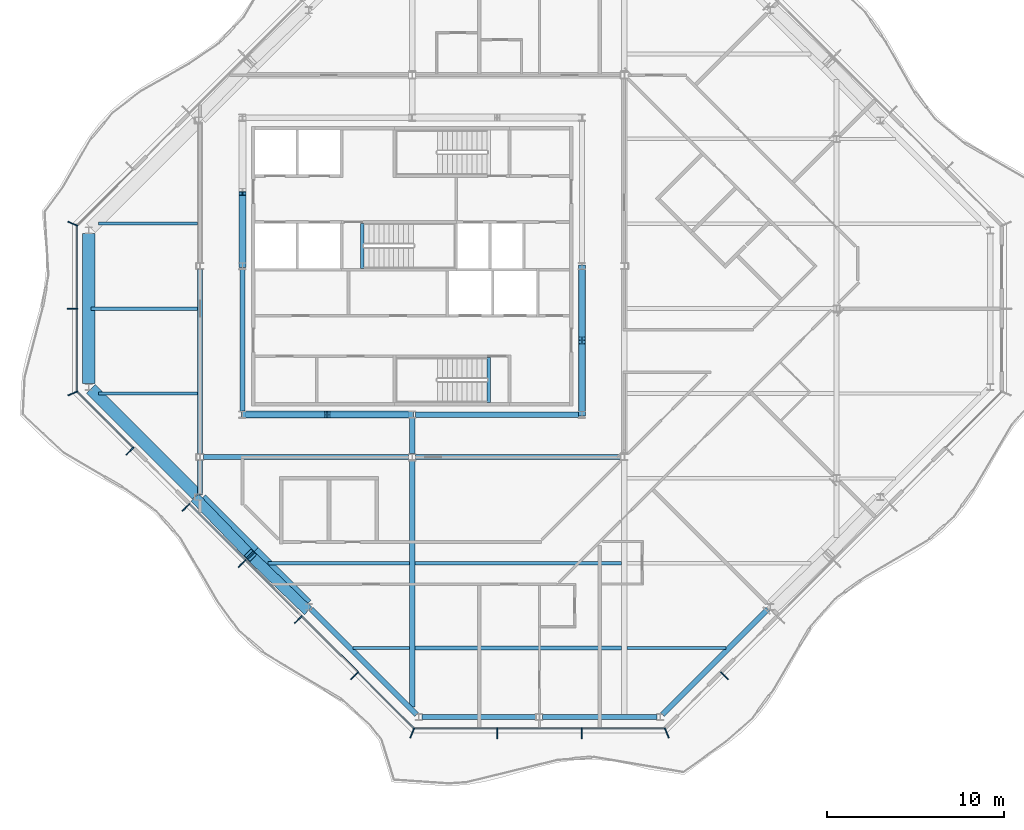
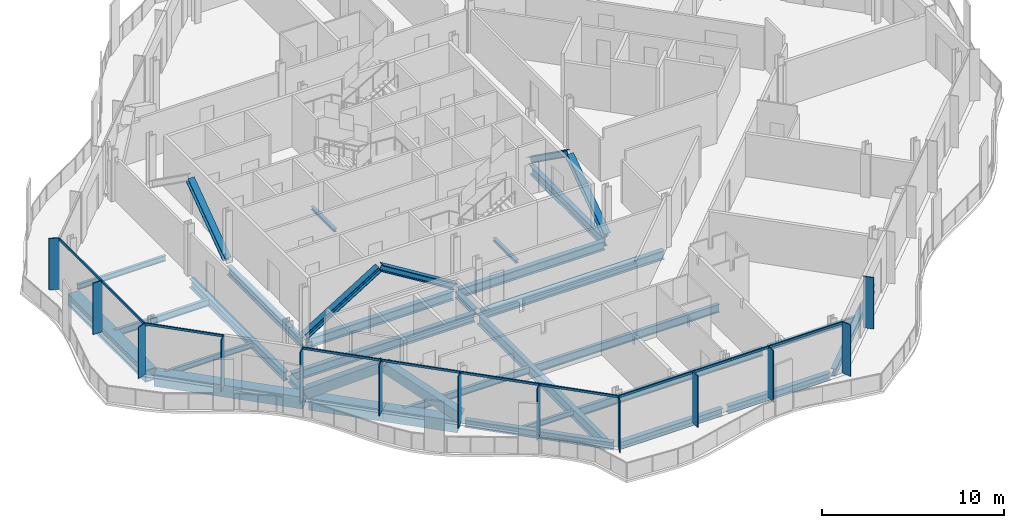
# One storey, part 3 of 16: 30 members, 28 beams, 4 elements without a shape of their own.
"""IFC4 building model written with IfcOpenShell, lengths in metres."""

import ifcopenshell
import ifcopenshell.guid

model = None  # the IFC model being written
_history = None  # IfcOwnerHistory: only IFC2X3 demands one
_inside = {}  # id of a spatial element -> (the spatial element, [elements in it])
_under = {}  # id of a project, library or spatial element -> (it, [spatial elements below it])
_declared = {}  # id of a project -> (the project, [libraries it declares])
_typed = {}  # id of a type object -> (the type object, [elements of that type])
_made_of = {}  # id of a material, layer set ... -> (it, [elements and type objects made of it])


def new_model(schema):
    """Start an empty IFC model of exactly this schema.

    Asked for "IFC4X3", IfcOpenShell would pick the latest addendum, in which some entities
    have other attributes; the version numbers below select the first issue.
    IFC2X3 requires an IfcOwnerHistory on every rooted entity: one is made here for all.
    """
    global model, _history
    if schema == "IFC4X3":
        model = ifcopenshell.file(schema_version=(4, 3, 0, 0))
    else:
        model = ifcopenshell.file(schema=schema)
    _inside.clear()
    _under.clear()
    _declared.clear()
    _typed.clear()
    _made_of.clear()
    _history = None
    if model.schema == "IFC2X3":
        org = make("IfcOrganization", Name="unknown")
        user = make(
            "IfcPersonAndOrganization",
            ThePerson=make("IfcPerson", FamilyName="unknown"),
            TheOrganization=org,
        )
        app = make(
            "IfcApplication",
            ApplicationDeveloper=org,
            Version="unknown",
            ApplicationFullName="unknown",
            ApplicationIdentifier="unknown",
        )
        _history = make(
            "IfcOwnerHistory",
            OwningUser=user,
            OwningApplication=app,
            ChangeAction="ADDED",
            CreationDate=0,
        )
    return model


def make(cls, **values):
    """One entity of the class cls with the attributes given. An attribute that is None is left unset."""
    return model.create_entity(
        cls, **{name: value for name, value in values.items() if value is not None}
    )


def rooted(cls, **values):
    """An entity with a GlobalId (a new one), such as an element, a storey or a relation."""
    return make(cls, GlobalId=ifcopenshell.guid.new(), OwnerHistory=_history, **values)


def si_unit(unit_type, name, prefix=None):
    """IfcSIUnit, for example si_unit("LENGTHUNIT", "METRE", prefix="MILLI")."""
    return make("IfcSIUnit", UnitType=unit_type, Prefix=prefix, Name=name)


def assignment(units):
    """IfcUnitAssignment: the units of a project."""
    return None if units is None else make("IfcUnitAssignment", Units=units)


def point(xyz):
    """IfcCartesianPoint."""
    return None if xyz is None else make("IfcCartesianPoint", Coordinates=xyz)


def direction(xyz):
    """IfcDirection."""
    return None if xyz is None else make("IfcDirection", DirectionRatios=xyz)


def frame(location, z_axis=None, x_axis=None):
    """IfcAxis2Placement3D, a coordinate frame: its origin and axes. An axis left out is left unset."""
    return make(
        "IfcAxis2Placement3D",
        Location=point(location),
        Axis=direction(z_axis),
        RefDirection=direction(x_axis),
    )


def frame_2d(location, x_axis=None):
    """IfcAxis2Placement2D, a coordinate frame in the plane: its origin and x axis."""
    return make(
        "IfcAxis2Placement2D", Location=point(location), RefDirection=direction(x_axis)
    )


def origin():
    """The frame at (0, 0, 0) with its axes left unset."""
    return frame((0.0, 0.0, 0.0))


def origin_2d():
    """The frame at (0, 0) in the plane with its x axis left unset."""
    return frame_2d((0.0, 0.0))


def place(relative_to, where):
    """IfcLocalPlacement: puts the frame where relative to a parent placement (None: the world)."""
    return make(
        "IfcLocalPlacement", PlacementRelTo=relative_to, RelativePlacement=where
    )


def context(
    kind, dimensions, precision=None, world=None, true_north=None, identifier=None
):
    """IfcGeometricRepresentationContext, for example the 3D "Model" context."""
    return make(
        "IfcGeometricRepresentationContext",
        ContextIdentifier=identifier,
        ContextType=kind,
        CoordinateSpaceDimension=dimensions,
        Precision=precision,
        WorldCoordinateSystem=world,
        TrueNorth=true_north,
    )


def subcontext(parent, identifier, kind, view, scale=None):
    """IfcGeometricRepresentationSubContext, for example "Body" below "Model"."""
    return make(
        "IfcGeometricRepresentationSubContext",
        ContextIdentifier=identifier,
        ContextType=kind,
        ParentContext=parent,
        TargetScale=scale,
        TargetView=view,
    )


def project(units=None, contexts=None):
    """IfcProject with its units and contexts."""
    return rooted(
        "IfcProject",
        Name="project",
        RepresentationContexts=contexts,
        UnitsInContext=assignment(units),
    )


def spatial(cls, under=None, at=None, **own):
    """A site, building, storey or space (cls), placed at a placement, below another one or the project."""
    s = rooted(cls, ObjectPlacement=at, **own)
    if under is not None:
        _under.setdefault(under.id(), (under, []))[1].append(s)
    return s


def profile(cls, at=None, kind="AREA", **sizes):
    """A parametric profile (cls). Its sizes go by their IFC names, for example OverallWidth=200.0."""
    return make(cls, ProfileType=kind, Position=at, **sizes)


def rectangle(**sizes):
    """IfcRectangleProfileDef."""
    return profile("IfcRectangleProfileDef", **sizes)


def hollow_rectangle(**sizes):
    """IfcRectangleHollowProfileDef."""
    return profile("IfcRectangleHollowProfileDef", **sizes)


def i_section(**sizes):
    """IfcIShapeProfileDef."""
    return profile("IfcIShapeProfileDef", **sizes)


def extrude(swept, where, along, depth):
    """IfcExtrudedAreaSolid: the profile swept, set in the frame where, extruded along a direction by depth."""
    return make(
        "IfcExtrudedAreaSolid",
        SweptArea=swept,
        Position=where,
        ExtrudedDirection=direction(along),
        Depth=depth,
    )


def shape(context_of_items, identifier, shape_type, items):
    """IfcShapeRepresentation: the items that make up one representation, for example the "Body"."""
    return make(
        "IfcShapeRepresentation",
        ContextOfItems=context_of_items,
        RepresentationIdentifier=identifier,
        RepresentationType=shape_type,
        Items=items,
    )


def material(Name=None, Category=None):
    """IfcMaterial."""
    return make("IfcMaterial", Name=Name, Category=Category)


def material_profile(
    of_material, cross_section, Name=None, Category=None, Priority=None
):
    """IfcMaterialProfile: a cross section and its material."""
    return make(
        "IfcMaterialProfile",
        Name=Name,
        Material=of_material,
        Profile=cross_section,
        Priority=Priority,
        Category=Category,
    )


def profile_set(profiles, Name=None, composite=None):
    """IfcMaterialProfileSet."""
    return make(
        "IfcMaterialProfileSet",
        Name=Name,
        MaterialProfiles=profiles,
        CompositeProfile=composite,
    )


def made_of(thing, what):
    """Note that an element or type object is made of a material, layer set ...; save() writes the relation."""
    if what is not None:
        _made_of.setdefault(what.id(), (what, []))[1].append(thing)
    return thing


def type_object(cls, material=None, **own):
    """A type object (cls), such as IfcWallType, which elements share."""
    return made_of(rooted(cls, **own), material)


def element(
    cls,
    number,
    at=None,
    inside=None,
    cuts=None,
    type_object=None,
    material=None,
    context=None,
    identifier="Body",
    shape_type=None,
    held_by="IfcProductDefinitionShape",
    body=None,
    shapes=None,
    **own,
):
    """One element of the class cls, such as IfcWall. Its Tag is "e" and its number.

    at: its placement. inside: the storey or other place that contains it. cuts: it is an
    opening in that element (IfcRelVoidsElement). A single representation is given by context,
    identifier, shape_type and body (its items); several are given by shapes. held_by: the class
    of the entity that holds the representations. save() writes the other relations.
    """
    e = rooted(cls, Tag="e%d" % number, ObjectPlacement=at, **own)
    if body is not None:
        shapes = [shape(context, identifier, shape_type, body)]
    if shapes is not None:
        e.Representation = make(held_by, Representations=shapes)
    if inside is not None:
        _inside.setdefault(inside.id(), (inside, []))[1].append(e)
    if cuts is not None:
        rooted(
            "IfcRelVoidsElement", RelatingBuildingElement=cuts, RelatedOpeningElement=e
        )
    if type_object is not None:
        _typed.setdefault(type_object.id(), (type_object, []))[1].append(e)
    return made_of(e, material)


def aggregate(whole, parts):
    """IfcRelAggregates: a whole, such as a stair, and the parts it consists of."""
    return rooted("IfcRelAggregates", RelatingObject=whole, RelatedObjects=parts)


def save(model, path):
    """Write the relations noted so far, then the file.

    IfcRelAggregates (storeys below a building ...), IfcRelContainedInSpatialStructure (elements
    in a storey), IfcRelDefinesByType, IfcRelAssociatesMaterial and IfcRelDeclares: one each for
    every whole, place, type object, material and project.
    """
    for whole, parts in _under.values():
        aggregate(whole, parts)
    for where, things in _inside.values():
        rooted(
            "IfcRelContainedInSpatialStructure",
            RelatedElements=things,
            RelatingStructure=where,
        )
    for kind, things in _typed.values():
        rooted("IfcRelDefinesByType", RelatedObjects=things, RelatingType=kind)
    for what, things in _made_of.values():
        rooted("IfcRelAssociatesMaterial", RelatedObjects=things, RelatingMaterial=what)
    for by, libraries in _declared.values():
        rooted("IfcRelDeclares", RelatingContext=by, RelatedDefinitions=libraries)
    model.write(path)


model = new_model("IFC4")

# Units and contexts
model_context = context("Model", 3, precision=1e-05, world=origin(), true_north=direction((0.0, 1.0)))
body_context = subcontext(model_context, "Body", "Model", "MODEL_VIEW")
ifc_project = project(units=[si_unit("LENGTHUNIT", "METRE"), si_unit("AREAUNIT", "SQUARE_METRE"), si_unit("VOLUMEUNIT", "CUBIC_METRE"), si_unit("PLANEANGLEUNIT", "RADIAN"), si_unit("MASSUNIT", "GRAM", prefix="KILO")], contexts=[model_context])

# Site, building, storey
site_placement = place(None, origin())
site = spatial("IfcSite", under=ifc_project, at=site_placement, CompositionType="ELEMENT")
building_placement = place(site_placement, origin())
building = spatial("IfcBuilding", under=site, at=building_placement, Name="Cairn Pilgrim Tower", CompositionType="ELEMENT")
storey_placement = place(building_placement, frame((0.0, 0.0, 285.0)))
storey = spatial("IfcBuildingStorey", under=building, at=storey_placement, Name="L73", CompositionType="ELEMENT", Elevation=285.0)

# Members
ifc_material_1 = material(Name="Structural steel S460M", Category="steel")
ifc_material_profile_1 = material_profile(ifc_material_1, hollow_rectangle(XDim=0.60009765625, YDim=0.60009765625, WallThickness=0.034912109375, at=origin_2d()), Name="BOX 600x600x35")
ifc_profile_set_1 = profile_set([ifc_material_profile_1], Name="Structural steel S460M")
member_type_1 = type_object("IfcMemberType", Name="BOX 600x600x35 BRACE", PredefinedType="BRACE", material=ifc_profile_set_1)
for number, where, z_axis, x_axis, name in (
    (1, (-4.98779296875, -10.80224609375, 0.14990234375), (0.591469196702, -0.613660799233, 0.523053164447), (0.720005582767, 0.693968270733, 0.0), "XB-SW2-SW3-1"),
    (2, (1.19775390625, -16.98779296875, 0.14990234375), (-0.613660799233, 0.591469196702, 0.523053164447), (-0.693968270733, -0.720005582767, 0.0), "XB-SW2-SW3-2"),
):
    element("IfcMember", number, at=place(storey_placement, frame(where, z_axis=z_axis, x_axis=x_axis)), inside=storey, type_object=member_type_1, Name=name, PredefinedType="BRACE", context=body_context, shape_type="SweptSolid", body=[
        extrude(hollow_rectangle(XDim=0.60009765625, YDim=0.60009765625, WallThickness=0.034912109375, at=origin_2d()), origin(), (0.0, 0.0, 1.0), 5.03857421875),
    ])

# Beams
ifc_material_2 = material(Name="Structural steel S355J2", Category="steel")
ifc_material_profile_2 = material_profile(ifc_material_2, hollow_rectangle(XDim=0.699951171875, YDim=0.800048828125, WallThickness=0.0400390625, at=origin_2d()), Name="BOX 700x800x40")
ifc_profile_set_2 = profile_set([ifc_material_profile_2], Name="Structural steel S355J2")
beam_type_1 = type_object("IfcBeamType", Name="BOX 700x800x40 RING GIRDER", PredefinedType="SPANDREL", material=ifc_profile_set_2)
beam_1_placement = place(storey_placement, frame((-11.10009765625, 4.251220703125, -0.550048828125), z_axis=(0.0, -1.0, 0.0), x_axis=(1.0, 0.0, 0.0)))
element("IfcBeam", 3, at=beam_1_placement, inside=storey, type_object=beam_type_1, Name="RG4-W1-SW1", PredefinedType="SPANDREL", context=body_context, shape_type="SweptSolid", body=[
    extrude(hollow_rectangle(XDim=0.699951171875, YDim=0.800048828125, WallThickness=0.0400390625, at=origin_2d()), origin(), (0.0, 0.0, 1.0), 8.50244140625),
])
beam_2_placement = place(storey_placement, frame((-10.9755859375, -4.551513671875, -0.550048828125), z_axis=(0.707092335843, -0.707121226235, 0.0), x_axis=(0.707121226235, 0.707092335843, 0.0)))
element("IfcBeam", 4, at=beam_2_placement, inside=storey, type_object=beam_type_1, Name="RG4-SW1-SW2", PredefinedType="SPANDREL", context=body_context, shape_type="SweptSolid", body=[
    extrude(hollow_rectangle(XDim=0.699951171875, YDim=0.800048828125, WallThickness=0.0400390625, at=origin_2d()), origin(), (0.0, 0.0, 1.0), 8.45068359375),
])
for number, where, z_axis, x_axis, name in (
    (5, (-4.751220703125, -10.77587890625, -0.550048828125), (0.707077889614, -0.707135671578, 0.0), (0.707135671578, 0.707077889614, 0.0), "RG4-SW2-SW3-1"),
    (6, (-1.763671875, -13.763671875, -0.550048828125), (0.707135671578, -0.707077889614, 0.0), (0.707077889614, 0.707135671578, 0.0), "RG4-SW2-SW3-2"),
):
    element("IfcBeam", number, at=place(storey_placement, frame(where, z_axis=z_axis, x_axis=x_axis)), inside=storey, type_object=beam_type_1, Name=name, PredefinedType="SPANDREL", context=body_context, shape_type="SweptSolid", body=[
        extrude(hollow_rectangle(XDim=0.699951171875, YDim=0.800048828125, WallThickness=0.0400390625, at=origin_2d()), origin(), (0.0, 0.0, 1.0), 4.22509765625),
    ])

# Curtain wall, members
ifc_material_3 = material(Name="Aluminium alloy 6063-T6 bronze anodised with Bronze tinted laminated low-E glass 8+16+8.8", Category="aluminium")
curtain_wall_type = type_object("IfcCurtainWallType", Name="CROWN CURTAIN WALL", PredefinedType="NOTDEFINED", material=ifc_material_3)
curtain_wall_1_placement = place(storey_placement, origin())
curtain_wall_1 = element("IfcCurtainWall", 7, at=curtain_wall_1_placement, inside=storey, type_object=curtain_wall_type, Name="Crown Curtain Wall S", PredefinedType="NOTDEFINED")
ifc_material_4 = material(Name="Aluminium alloy 6063-T6 bronze anodised", Category="aluminium")
ifc_material_profile_3 = material_profile(ifc_material_4, rectangle(XDim=0.60009765625, YDim=0.06005859375, at=origin_2d()), Name="FIN MULLION 60x600 BRONZE")
ifc_profile_set_3 = profile_set([ifc_material_profile_3], Name="Aluminium alloy 6063-T6 bronze anodised")
member_type_2 = type_object("IfcMemberType", Name="FIN MULLION 60x600 BRONZE", PredefinedType="MULLION", material=ifc_profile_set_3)
member_1_placement = place(storey_placement, frame((7.2001953125, -23.99951171875, 0.0), z_axis=(0.0, 0.0, 1.0), x_axis=(-0.382683432365, -0.923879532511, 0.0)))
member_1 = element("IfcMember", 8, at=member_1_placement, type_object=member_type_2, Name="Fin mullion S1", PredefinedType="MULLION", context=body_context, shape_type="SweptSolid", body=[
    extrude(rectangle(XDim=0.60009765625, YDim=0.06005859375, at=origin_2d()), origin(), (0.0, 0.0, 1.0), 3.449951171875),
])
member_2_placement = place(storey_placement, frame((12.0, -24.02001953125, 0.0), z_axis=(0.0, 0.0, 1.0), x_axis=(0.0, -1.0, 0.0)))
member_2 = element("IfcMember", 9, at=member_2_placement, type_object=member_type_2, Name="Fin mullion S2", PredefinedType="MULLION", context=body_context, shape_type="SweptSolid", body=[
    extrude(rectangle(XDim=0.60009765625, YDim=0.06005859375, at=origin_2d()), origin(), (0.0, 0.0, 1.0), 3.449951171875),
])
member_3_placement = place(storey_placement, frame((16.800048828125, -24.02001953125, 0.0), z_axis=(0.0, 0.0, 1.0), x_axis=(0.0, -1.0, 0.0)))
member_3 = element("IfcMember", 10, at=member_3_placement, type_object=member_type_2, Name="Fin mullion S3", PredefinedType="MULLION", context=body_context, shape_type="SweptSolid", body=[
    extrude(rectangle(XDim=0.60009765625, YDim=0.06005859375, at=origin_2d()), origin(), (0.0, 0.0, 1.0), 3.449951171875),
])

curtain_wall_2_placement = place(storey_placement, origin())
curtain_wall_2 = element("IfcCurtainWall", 11, at=curtain_wall_2_placement, inside=storey, type_object=curtain_wall_type, Name="Crown Curtain Wall SE", PredefinedType="NOTDEFINED")
member_4_placement = place(storey_placement, frame((21.599853515625, -23.99951171875, 0.0), z_axis=(0.0, 0.0, 1.0), x_axis=(0.382683432365, -0.923879532511, 0.0)))
member_4 = element("IfcMember", 12, at=member_4_placement, type_object=member_type_2, Name="Fin mullion SE1", PredefinedType="MULLION", context=body_context, shape_type="SweptSolid", body=[
    extrude(rectangle(XDim=0.60009765625, YDim=0.06005859375, at=origin_2d()), origin(), (0.0, 0.0, 1.0), 3.449951171875),
])
member_5_placement = place(storey_placement, frame((24.863037109375, -20.765380859375, 0.0), z_axis=(0.0, 0.0, 1.0), x_axis=(0.707106781187, -0.707106781187, 0.0)))
member_5 = element("IfcMember", 13, at=member_5_placement, type_object=member_type_2, Name="Fin mullion SE2", PredefinedType="MULLION", context=body_context, shape_type="SweptSolid", body=[
    extrude(rectangle(XDim=0.60009765625, YDim=0.06005859375, at=origin_2d()), origin(), (0.0, 0.0, 1.0), 3.449951171875),
])
aggregate(curtain_wall_2, [member_4, member_5])

curtain_wall_3_placement = place(storey_placement, origin())
curtain_wall_3 = element("IfcCurtainWall", 14, at=curtain_wall_3_placement, inside=storey, type_object=curtain_wall_type, Name="Crown Curtain Wall W", PredefinedType="NOTDEFINED")
member_6_placement = place(storey_placement, frame((-11.99951171875, 4.7998046875, 0.0), z_axis=(0.0, 0.0, 1.0), x_axis=(-0.923879532511, 0.382683432365, 0.0)))
member_6 = element("IfcMember", 15, at=member_6_placement, type_object=member_type_2, Name="Fin mullion W1", PredefinedType="MULLION", context=body_context, shape_type="SweptSolid", body=[
    extrude(rectangle(XDim=0.60009765625, YDim=0.06005859375, at=origin_2d()), origin(), (0.0, 0.0, 1.0), 3.449951171875),
])
member_7_placement = place(storey_placement, frame((-12.02001953125, 0.0, 0.0), z_axis=(0.0, 0.0, 1.0), x_axis=(-1.0, 0.0, 0.0)))
member_7 = element("IfcMember", 16, at=member_7_placement, type_object=member_type_2, Name="Fin mullion W2", PredefinedType="MULLION", context=body_context, shape_type="SweptSolid", body=[
    extrude(rectangle(XDim=0.60009765625, YDim=0.06005859375, at=origin_2d()), origin(), (0.0, 0.0, 1.0), 3.449951171875),
])

curtain_wall_4_placement = place(storey_placement, origin())
curtain_wall_4 = element("IfcCurtainWall", 17, at=curtain_wall_4_placement, inside=storey, type_object=curtain_wall_type, Name="Crown Curtain Wall SW", PredefinedType="NOTDEFINED")
member_8_placement = place(storey_placement, frame((-11.99951171875, -4.7998046875, 0.0), z_axis=(0.0, 0.0, 1.0), x_axis=(-0.923879532511, -0.382683432365, 0.0)))
member_8 = element("IfcMember", 18, at=member_8_placement, type_object=member_type_2, Name="Fin mullion SW1", PredefinedType="MULLION", context=body_context, shape_type="SweptSolid", body=[
    extrude(rectangle(XDim=0.60009765625, YDim=0.06005859375, at=origin_2d()), origin(), (0.0, 0.0, 1.0), 3.449951171875),
])
member_9_placement = place(storey_placement, frame((-8.765380859375, -8.06298828125, 0.0), z_axis=(0.0, 0.0, 1.0), x_axis=(-0.707106781187, -0.707106781187, 0.0)))
member_9 = element("IfcMember", 19, at=member_9_placement, type_object=member_type_2, Name="Fin mullion SW2", PredefinedType="MULLION", context=body_context, shape_type="SweptSolid", body=[
    extrude(rectangle(XDim=0.60009765625, YDim=0.06005859375, at=origin_2d()), origin(), (0.0, 0.0, 1.0), 3.449951171875),
])
member_10_placement = place(storey_placement, frame((-5.58984375, -11.238525390625, 0.0), z_axis=(0.0, 0.0, 1.0), x_axis=(-0.707106781187, -0.707106781187, 0.0)))
member_10 = element("IfcMember", 20, at=member_10_placement, type_object=member_type_2, Name="Fin mullion SW3", PredefinedType="MULLION", context=body_context, shape_type="SweptSolid", body=[
    extrude(rectangle(XDim=0.60009765625, YDim=0.06005859375, at=origin_2d()), origin(), (0.0, 0.0, 1.0), 3.449951171875),
])
member_11_placement = place(storey_placement, frame((-2.4140625, -14.4140625, 0.0), z_axis=(0.0, 0.0, 1.0), x_axis=(-0.707106781187, -0.707106781187, 0.0)))
member_11 = element("IfcMember", 21, at=member_11_placement, type_object=member_type_2, Name="Fin mullion SW4", PredefinedType="MULLION", context=body_context, shape_type="SweptSolid", body=[
    extrude(rectangle(XDim=0.60009765625, YDim=0.06005859375, at=origin_2d()), origin(), (0.0, 0.0, 1.0), 3.449951171875),
])
member_12_placement = place(storey_placement, frame((0.761474609375, -17.58984375, 0.0), z_axis=(0.0, 0.0, 1.0), x_axis=(-0.707106781187, -0.707106781187, 0.0)))
member_12 = element("IfcMember", 22, at=member_12_placement, type_object=member_type_2, Name="Fin mullion SW5", PredefinedType="MULLION", context=body_context, shape_type="SweptSolid", body=[
    extrude(rectangle(XDim=0.60009765625, YDim=0.06005859375, at=origin_2d()), origin(), (0.0, 0.0, 1.0), 3.449951171875),
])
member_13_placement = place(storey_placement, frame((3.93701171875, -20.765380859375, 0.0), z_axis=(0.0, 0.0, 1.0), x_axis=(-0.707106781187, -0.707106781187, 0.0)))
member_13 = element("IfcMember", 23, at=member_13_placement, type_object=member_type_2, Name="Fin mullion SW6", PredefinedType="MULLION", context=body_context, shape_type="SweptSolid", body=[
    extrude(rectangle(XDim=0.60009765625, YDim=0.06005859375, at=origin_2d()), origin(), (0.0, 0.0, 1.0), 3.449951171875),
])

# Members
ifc_material_profile_4 = material_profile(ifc_material_2, i_section(OverallWidth=0.39794921875, OverallDepth=0.386962890625, WebThickness=0.02099609375, FlangeThickness=0.033203125, FilletRadius=0.014892578125, at=origin_2d()), Name="HD 400x262")
ifc_profile_set_4 = profile_set([ifc_material_profile_4], Name="Structural steel S355J2")
member_type_3 = type_object("IfcMemberType", Name="HD 400x262 BRACE", PredefinedType="BRACE", material=ifc_profile_set_4)
for number, where, z_axis, x_axis, name in (
    (24, (-2.360107421875, -6.0, 0.10009765625), (0.85121689147, 0.0, 0.524814065814), (0.0, 1.0, 0.0), "KB-1A"),
    (25, (7.16015625, -6.0, 0.10009765625), (-0.85121689147, 0.0, 0.524814065814), (0.0, -1.0, 0.0), "KB-1B"),
):
    element("IfcMember", number, at=place(storey_placement, frame(where, z_axis=z_axis, x_axis=x_axis)), inside=storey, type_object=member_type_3, Name=name, PredefinedType="BRACE", context=body_context, shape_type="SweptSolid", body=[
        extrude(i_section(OverallWidth=0.39794921875, OverallDepth=0.386962890625, WebThickness=0.02099609375, FlangeThickness=0.033203125, FilletRadius=0.014892578125, at=origin_2d()), origin(), (0.0, 0.0, 1.0), 5.52978515625),
    ])
for number, where, z_axis, x_axis, name in (
    (26, (16.800048828125, -5.960205078125, 0.10009765625), (0.0, 0.814462005215, 0.580216892258), (-1.0, 0.0, 0.0), "KB-2A"),
    (27, (16.800048828125, 2.360107421875, 0.10009765625), (0.0, -0.814462005215, 0.580216892258), (1.0, 0.0, 0.0), "KB-2B"),
    (28, (-2.39990234375, 2.439697265625, 0.10009765625), (0.0, 0.814462005215, 0.580216892258), (-1.0, 0.0, 0.0), "KB-4B"),
):
    element("IfcMember", number, at=place(storey_placement, frame(where, z_axis=z_axis, x_axis=x_axis)), inside=storey, type_object=member_type_3, Name=name, PredefinedType="BRACE", context=body_context, shape_type="SweptSolid", body=[
        extrude(i_section(OverallWidth=0.39794921875, OverallDepth=0.386962890625, WebThickness=0.02099609375, FlangeThickness=0.033203125, FilletRadius=0.014892578125, at=origin_2d()), origin(), (0.0, 0.0, 1.0), 4.999755859375),
    ])

# Beams
ifc_material_profile_5 = material_profile(ifc_material_2, i_section(OverallWidth=0.300048828125, OverallDepth=0.39990234375, WebThickness=0.013427734375, FlangeThickness=0.02392578125, FilletRadius=0.027099609375, at=origin_2d()), Name="HEB 400")
ifc_profile_set_5 = profile_set([ifc_material_profile_5], Name="Structural steel S355J2")
beam_type_2 = type_object("IfcBeamType", Name="HEB 400 GIRDER", PredefinedType="BEAM", material=ifc_profile_set_5)
beam_3_placement = place(storey_placement, frame((-4.800048828125, -10.545166015625, -0.35009765625), z_axis=(0.0, 1.0, 0.0), x_axis=(-1.0, 0.0, 0.0)))
element("IfcBeam", 29, at=beam_3_placement, inside=storey, type_object=beam_type_2, Name="PG2-E1", PredefinedType="BEAM", context=body_context, shape_type="SweptSolid", body=[
    extrude(i_section(OverallWidth=0.300048828125, OverallDepth=0.39990234375, WebThickness=0.013427734375, FlangeThickness=0.02392578125, FilletRadius=0.027099609375, at=origin_2d()), origin(), (0.0, 0.0, 1.0), 1.9482421875),
])
beam_4_placement = place(storey_placement, frame((7.199951171875, -8.202880859375, -0.35009765625), z_axis=(0.0, 1.0, 0.0), x_axis=(-1.0, 0.0, 0.0)))
element("IfcBeam", 30, at=beam_4_placement, inside=storey, type_object=beam_type_2, Name="PG3-E1", PredefinedType="BEAM", context=body_context, shape_type="SweptSolid", body=[
    extrude(i_section(OverallWidth=0.300048828125, OverallDepth=0.39990234375, WebThickness=0.013427734375, FlangeThickness=0.02392578125, FilletRadius=0.027099609375, at=origin_2d()), origin(), (0.0, 0.0, 1.0), 2.00390625),
])
ifc_material_profile_6 = material_profile(ifc_material_2, i_section(OverallWidth=0.300048828125, OverallDepth=0.5, WebThickness=0.014404296875, FlangeThickness=0.028076171875, FilletRadius=0.027099609375, at=origin_2d()), Name="HEB 500")
ifc_profile_set_6 = profile_set([ifc_material_profile_6], Name="Structural steel S355J2")
beam_type_3 = type_object("IfcBeamType", Name="HEB 500 RING GIRDER", PredefinedType="SPANDREL", material=ifc_profile_set_6)
for number, where, z_axis, x_axis, name in (
    (31, (7.748779296875, -23.10009765625, -0.39990234375), (1.0, 0.0, 0.0), (0.0, 1.0, 0.0), "RG4-S1-S2"),
    (32, (14.575927734375, -23.10009765625, -0.39990234375), (1.0, 0.0, 0.0), (0.0, 1.0, 0.0), "RG4-S2-SE1"),
):
    element("IfcBeam", number, at=place(storey_placement, frame(where, z_axis=z_axis, x_axis=x_axis)), inside=storey, type_object=beam_type_3, Name=name, PredefinedType="SPANDREL", context=body_context, shape_type="SweptSolid", body=[
        extrude(i_section(OverallWidth=0.300048828125, OverallDepth=0.5, WebThickness=0.014404296875, FlangeThickness=0.028076171875, FilletRadius=0.027099609375, at=origin_2d()), origin(), (0.0, 0.0, 1.0), 6.475341796875),
    ])
for number, where, z_axis, x_axis, name in (
    (33, (21.3515625, -22.9755859375, -0.39990234375), (0.707121226235, 0.707092335843, 0.0), (-0.707092335843, 0.707121226235, 0.0), "RG4-SE1-SE2"),
    (34, (1.472900390625, -17.000244140625, -0.39990234375), (0.707121226235, -0.707092335843, 0.0), (0.707092335843, 0.707121226235, 0.0), "RG4-SW3-S1"),
):
    element("IfcBeam", number, at=place(storey_placement, frame(where, z_axis=z_axis, x_axis=x_axis)), inside=storey, type_object=beam_type_3, Name=name, PredefinedType="SPANDREL", context=body_context, shape_type="SweptSolid", body=[
        extrude(i_section(OverallWidth=0.300048828125, OverallDepth=0.5, WebThickness=0.014404296875, FlangeThickness=0.028076171875, FilletRadius=0.027099609375, at=origin_2d()), origin(), (0.0, 0.0, 1.0), 8.45068359375),
    ])
ifc_material_profile_7 = material_profile(ifc_material_2, i_section(OverallWidth=0.300048828125, OverallDepth=0.60009765625, WebThickness=0.015380859375, FlangeThickness=0.030029296875, FilletRadius=0.027099609375, at=origin_2d()), Name="HEB 600")
ifc_profile_set_7 = profile_set([ifc_material_profile_7], Name="Structural steel S355J2")
beam_type_4 = type_object("IfcBeamType", Name="HEB 600 CORE BEAM", PredefinedType="BEAM", material=ifc_profile_set_7)
beam_5_placement = place(storey_placement, frame((-2.220947265625, -6.0, -0.449951171875), z_axis=(1.0, 0.0, 0.0), x_axis=(0.0, 1.0, 0.0)))
element("IfcBeam", 35, at=beam_5_placement, inside=storey, type_object=beam_type_4, Name="CB-1", PredefinedType="BEAM", context=body_context, shape_type="SweptSolid", body=[
    extrude(i_section(OverallWidth=0.300048828125, OverallDepth=0.60009765625, WebThickness=0.015380859375, FlangeThickness=0.030029296875, FilletRadius=0.027099609375, at=origin_2d()), origin(), (0.0, 0.0, 1.0), 9.241943359375),
])
beam_6_placement = place(storey_placement, frame((7.379150390625, -6.0, -0.449951171875), z_axis=(1.0, 0.0, 0.0), x_axis=(0.0, 1.0, 0.0)))
element("IfcBeam", 36, at=beam_6_placement, inside=storey, type_object=beam_type_4, Name="CB-2", PredefinedType="BEAM", context=body_context, shape_type="SweptSolid", body=[
    extrude(i_section(OverallWidth=0.300048828125, OverallDepth=0.60009765625, WebThickness=0.015380859375, FlangeThickness=0.030029296875, FilletRadius=0.027099609375, at=origin_2d()), origin(), (0.0, 0.0, 1.0), 9.24169921875),
])
for number, where, z_axis, x_axis, name in (
    (37, (16.800048828125, -5.82080078125, -0.449951171875), (0.0, 1.0, 0.0), (-1.0, 0.0, 0.0), "CB-3"),
    (38, (-2.39990234375, 2.220947265625, -0.449951171875), (0.0, -1.0, 0.0), (1.0, 0.0, 0.0), "CB-8"),
):
    element("IfcBeam", number, at=place(storey_placement, frame(where, z_axis=z_axis, x_axis=x_axis)), inside=storey, type_object=beam_type_4, Name=name, PredefinedType="BEAM", context=body_context, shape_type="SweptSolid", body=[
        extrude(i_section(OverallWidth=0.300048828125, OverallDepth=0.60009765625, WebThickness=0.015380859375, FlangeThickness=0.030029296875, FilletRadius=0.027099609375, at=origin_2d()), origin(), (0.0, 0.0, 1.0), 8.041748046875),
    ])
ifc_material_profile_8 = material_profile(ifc_material_2, i_section(OverallWidth=0.300048828125, OverallDepth=0.60009765625, WebThickness=0.015380859375, FlangeThickness=0.030029296875, FilletRadius=0.027099609375, at=origin_2d()), Name="HEB 600")
ifc_profile_set_8 = profile_set([ifc_material_profile_8], Name="Structural steel S355J2")
beam_type_5 = type_object("IfcBeamType", Name="HEB 600 GIRDER", PredefinedType="BEAM", material=ifc_profile_set_8)
beam_7_placement = place(storey_placement, frame((-4.800048828125, -8.202880859375, -0.449951171875), z_axis=(0.0, 1.0, 0.0), x_axis=(-1.0, 0.0, 0.0)))
element("IfcBeam", 39, at=beam_7_placement, inside=storey, type_object=beam_type_5, Name="PG2-1", PredefinedType="BEAM", context=body_context, shape_type="SweptSolid", body=[
    extrude(i_section(OverallWidth=0.300048828125, OverallDepth=0.60009765625, WebThickness=0.015380859375, FlangeThickness=0.030029296875, FilletRadius=0.027099609375, at=origin_2d()), origin(), (0.0, 0.0, 1.0), 10.40576171875),
])
ifc_material_profile_9 = material_profile(ifc_material_2, i_section(OverallWidth=0.300048828125, OverallDepth=0.60009765625, WebThickness=0.015380859375, FlangeThickness=0.030029296875, FilletRadius=0.027099609375, at=origin_2d()), Name="HEB 600")
ifc_profile_set_9 = profile_set([ifc_material_profile_9], Name="Structural steel S355J2")
beam_type_6 = type_object("IfcBeamType", Name="HEB 600 INNER GIRDER", PredefinedType="BEAM", material=ifc_profile_set_9)
for number, where, z_axis, x_axis, name in (
    (40, (-4.60302734375, -8.39990234375, -0.449951171875), (1.0, 0.0, 0.0), (0.0, 1.0, 0.0), "IG1-1"),
    (41, (7.39697265625, -8.39990234375, -0.449951171875), (1.0, 0.0, 0.0), (0.0, 1.0, 0.0), "IG1-2"),
):
    element("IfcBeam", number, at=place(storey_placement, frame(where, z_axis=z_axis, x_axis=x_axis)), inside=storey, type_object=beam_type_6, Name=name, PredefinedType="BEAM", context=body_context, shape_type="SweptSolid", body=[
        extrude(i_section(OverallWidth=0.300048828125, OverallDepth=0.60009765625, WebThickness=0.015380859375, FlangeThickness=0.030029296875, FilletRadius=0.027099609375, at=origin_2d()), origin(), (0.0, 0.0, 1.0), 11.60595703125),
    ])
ifc_material_profile_10 = material_profile(ifc_material_2, i_section(OverallWidth=0.300048828125, OverallDepth=0.699951171875, WebThickness=0.01708984375, FlangeThickness=0.031982421875, FilletRadius=0.027099609375, at=origin_2d()), Name="HEB 700")
ifc_profile_set_10 = profile_set([ifc_material_profile_10], Name="Structural steel S355J2")
beam_type_7 = type_object("IfcBeamType", Name="HEB 700 GIRDER", PredefinedType="BEAM", material=ifc_profile_set_10)
beam_8_placement = place(storey_placement, frame((7.199951171875, -22.545166015625, -0.5), z_axis=(0.0, 1.0, 0.0), x_axis=(-1.0, 0.0, 0.0)))
element("IfcBeam", 42, at=beam_8_placement, inside=storey, type_object=beam_type_7, Name="PG3-1", PredefinedType="BEAM", context=body_context, shape_type="SweptSolid", body=[
    extrude(i_section(OverallWidth=0.300048828125, OverallDepth=0.699951171875, WebThickness=0.01708984375, FlangeThickness=0.031982421875, FilletRadius=0.027099609375, at=origin_2d()), origin(), (0.0, 0.0, 1.0), 13.9482421875),
])
ifc_material_profile_11 = material_profile(ifc_material_2, i_section(OverallWidth=0.169921875, OverallDepth=0.360107421875, WebThickness=0.008056640625, FlangeThickness=0.0126953125, FilletRadius=0.01806640625, at=origin_2d()), Name="IPE 360")
ifc_profile_set_11 = profile_set([ifc_material_profile_11], Name="Structural steel S355J2")
beam_type_8 = type_object("IfcBeamType", Name="IPE 360 SECONDARY BEAM", PredefinedType="JOIST", material=ifc_profile_set_11)
beam_9_placement = place(storey_placement, frame((3.85498046875, -19.199951171875, -0.330078125), z_axis=(1.0, 0.0, 0.0), x_axis=(0.0, 1.0, 0.0)))
element("IfcBeam", 43, at=beam_9_placement, inside=storey, type_object=beam_type_8, Name="SB1-1", PredefinedType="JOIST", context=body_context, shape_type="SweptSolid", body=[
    extrude(i_section(OverallWidth=0.169921875, OverallDepth=0.360107421875, WebThickness=0.008056640625, FlangeThickness=0.0126953125, FilletRadius=0.01806640625, at=origin_2d()), origin(), (0.0, 0.0, 1.0), 3.195068359375),
])
beam_10_placement = place(storey_placement, frame((19.35009765625, -19.199951171875, -0.330078125), z_axis=(1.0, 0.0, 0.0), x_axis=(0.0, 1.0, 0.0)))
element("IfcBeam", 44, at=beam_10_placement, inside=storey, type_object=beam_type_8, Name="SB1-3", PredefinedType="JOIST", context=body_context, shape_type="SweptSolid", body=[
    extrude(i_section(OverallWidth=0.169921875, OverallDepth=0.360107421875, WebThickness=0.008056640625, FlangeThickness=0.0126953125, FilletRadius=0.01806640625, at=origin_2d()), origin(), (0.0, 0.0, 1.0), 5.594970703125),
])
for number, where, z_axis, x_axis, name in (
    (45, (-10.545166015625, -4.800048828125, -0.330078125), (1.0, 0.0, 0.0), (0.0, 1.0, 0.0), "SB4-1"),
    (46, (-10.545166015625, 4.800048828125, -0.330078125), (1.0, 0.0, 0.0), (0.0, 1.0, 0.0), "SB6-1"),
):
    element("IfcBeam", number, at=place(storey_placement, frame(where, z_axis=z_axis, x_axis=x_axis)), inside=storey, type_object=beam_type_8, Name=name, PredefinedType="JOIST", context=body_context, shape_type="SweptSolid", body=[
        extrude(i_section(OverallWidth=0.169921875, OverallDepth=0.360107421875, WebThickness=0.008056640625, FlangeThickness=0.0126953125, FilletRadius=0.01806640625, at=origin_2d()), origin(), (0.0, 0.0, 1.0), 5.59521484375),
    ])
ifc_material_profile_12 = material_profile(ifc_material_2, i_section(OverallWidth=0.18994140625, OverallDepth=0.449951171875, WebThickness=0.009521484375, FlangeThickness=0.0146484375, FilletRadius=0.02099609375, at=origin_2d()), Name="IPE 450")
ifc_profile_set_12 = profile_set([ifc_material_profile_12], Name="Structural steel S355J2")
beam_type_9 = type_object("IfcBeamType", Name="IPE 450 SECONDARY BEAM", PredefinedType="JOIST", material=ifc_profile_set_12)
beam_11_placement = place(storey_placement, frame((-0.945068359375, -14.39990234375, -0.375), z_axis=(1.0, 0.0, 0.0), x_axis=(0.0, 1.0, 0.0)))
element("IfcBeam", 47, at=beam_11_placement, inside=storey, type_object=beam_type_9, Name="SB2-1", PredefinedType="JOIST", context=body_context, shape_type="SweptSolid", body=[
    extrude(i_section(OverallWidth=0.18994140625, OverallDepth=0.449951171875, WebThickness=0.009521484375, FlangeThickness=0.0146484375, FilletRadius=0.02099609375, at=origin_2d()), origin(), (0.0, 0.0, 1.0), 7.9951171875),
])
beam_12_placement = place(storey_placement, frame((-10.97998046875, 0.0, -0.375), z_axis=(1.0, 0.0, 0.0), x_axis=(0.0, 1.0, 0.0)))
element("IfcBeam", 48, at=beam_12_placement, inside=storey, type_object=beam_type_9, Name="SB5-1", PredefinedType="JOIST", context=body_context, shape_type="SweptSolid", body=[
    extrude(i_section(OverallWidth=0.18994140625, OverallDepth=0.449951171875, WebThickness=0.009521484375, FlangeThickness=0.0146484375, FilletRadius=0.02099609375, at=origin_2d()), origin(), (0.0, 0.0, 1.0), 6.030029296875),
])
ifc_material_profile_13 = material_profile(ifc_material_2, i_section(OverallWidth=0.2099609375, OverallDepth=0.550048828125, WebThickness=0.010986328125, FlangeThickness=0.01708984375, FilletRadius=0.02392578125, at=origin_2d()), Name="IPE 550")
ifc_profile_set_13 = profile_set([ifc_material_profile_13], Name="Structural steel S355J2")
beam_type_10 = type_object("IfcBeamType", Name="IPE 550 SECONDARY BEAM", PredefinedType="JOIST", material=ifc_profile_set_13)
for number, where, z_axis, x_axis, name in (
    (49, (7.35009765625, -19.199951171875, -0.425048828125), (1.0, 0.0, 0.0), (0.0, 1.0, 0.0), "SB1-2"),
    (50, (7.35009765625, -14.39990234375, -0.425048828125), (1.0, 0.0, 0.0), (0.0, 1.0, 0.0), "SB2-2"),
):
    element("IfcBeam", number, at=place(storey_placement, frame(where, z_axis=z_axis, x_axis=x_axis)), inside=storey, type_object=beam_type_10, Name=name, PredefinedType="JOIST", context=body_context, shape_type="SweptSolid", body=[
        extrude(i_section(OverallWidth=0.2099609375, OverallDepth=0.550048828125, WebThickness=0.010986328125, FlangeThickness=0.01708984375, FilletRadius=0.02392578125, at=origin_2d()), origin(), (0.0, 0.0, 1.0), 11.699951171875),
    ])
ifc_material_profile_14 = material_profile(ifc_material_2, i_section(OverallWidth=0.199951171875, OverallDepth=0.199951171875, WebThickness=0.009033203125, FlangeThickness=0.014892578125, FilletRadius=0.01806640625, at=origin_2d()), Name="HE 200 B")
ifc_profile_set_14 = profile_set([ifc_material_profile_14], Name="Structural steel S355J2")
beam_type_11 = type_object("IfcBeamType", Name="STAIR LANDING BEAM HE 200 B", PredefinedType="BEAM", material=ifc_profile_set_14)
beam_13_placement = place(storey_placement, frame((11.5244140625, -2.77490234375, -0.25), z_axis=(0.0, -1.0, 0.0), x_axis=(1.0, 0.0, 0.0)))
element("IfcBeam", 51, at=beam_13_placement, inside=storey, type_object=beam_type_11, Name="STAIR LANDING BEAM LD-HE200B", PredefinedType="BEAM", context=body_context, shape_type="SweptSolid", body=[
    extrude(i_section(OverallWidth=0.199951171875, OverallDepth=0.199951171875, WebThickness=0.009033203125, FlangeThickness=0.014892578125, FilletRadius=0.01806640625, at=origin_2d()), origin(), (0.0, 0.0, 1.0), 2.525146484375),
])
beam_14_placement = place(storey_placement, frame((4.37548828125, 2.27490234375, -0.25), z_axis=(0.0, 1.0, 0.0), x_axis=(-1.0, 0.0, 0.0)))
element("IfcBeam", 52, at=beam_14_placement, inside=storey, type_object=beam_type_11, Name="STAIR LANDING BEAM LD-HE200B", PredefinedType="BEAM", context=body_context, shape_type="SweptSolid", body=[
    extrude(i_section(OverallWidth=0.199951171875, OverallDepth=0.199951171875, WebThickness=0.009033203125, FlangeThickness=0.014892578125, FilletRadius=0.01806640625, at=origin_2d()), origin(), (0.0, 0.0, 1.0), 2.550048828125),
])

# Member
ifc_material_profile_15 = material_profile(ifc_material_4, rectangle(XDim=0.080078125, YDim=0.14990234375, at=origin_2d()), Name="TRANSOM 80x150 BRONZE")
ifc_profile_set_15 = profile_set([ifc_material_profile_15], Name="Aluminium alloy 6063-T6 bronze anodised")
member_type_4 = type_object("IfcMemberType", Name="TRANSOM 80x150 BRONZE", PredefinedType="USERDEFINED", material=ifc_profile_set_15)
member_14_placement = place(storey_placement, frame((7.343505859375, -23.75, 3.375), z_axis=(1.0, 0.0, 0.0), x_axis=(0.0, 1.0, 0.0)))
member_14 = element("IfcMember", 53, at=member_14_placement, type_object=member_type_4, Name="Transom S1", ObjectType="TRANSOM", PredefinedType="USERDEFINED", context=body_context, shape_type="SweptSolid", body=[
    extrude(rectangle(XDim=0.080078125, YDim=0.14990234375, at=origin_2d()), origin(), (0.0, 0.0, 1.0), 4.62646484375),
])

member_15_placement = place(storey_placement, frame((12.030029296875, -23.75, 3.375), z_axis=(1.0, 0.0, 0.0), x_axis=(0.0, 1.0, 0.0)))
member_15 = element("IfcMember", 54, at=member_15_placement, type_object=member_type_4, Name="Transom S2", ObjectType="TRANSOM", PredefinedType="USERDEFINED", context=body_context, shape_type="SweptSolid", body=[
    extrude(rectangle(XDim=0.080078125, YDim=0.14990234375, at=origin_2d()), origin(), (0.0, 0.0, 1.0), 4.739990234375),
])

member_16_placement = place(storey_placement, frame((16.830078125, -23.75, 3.375), z_axis=(1.0, 0.0, 0.0), x_axis=(0.0, 1.0, 0.0)))
member_16 = element("IfcMember", 55, at=member_16_placement, type_object=member_type_4, Name="Transom S3", ObjectType="TRANSOM", PredefinedType="USERDEFINED", context=body_context, shape_type="SweptSolid", body=[
    extrude(rectangle(XDim=0.080078125, YDim=0.14990234375, at=origin_2d()), origin(), (0.0, 0.0, 1.0), 4.62646484375),
])

aggregate(curtain_wall_1, [member_1, member_2, member_3, member_14, member_15, member_16])

member_17_placement = place(storey_placement, frame((-11.75, 4.656494140625, 3.375), z_axis=(0.0, -1.0, 0.0), x_axis=(1.0, 0.0, 0.0)))
member_17 = element("IfcMember", 56, at=member_17_placement, type_object=member_type_4, Name="Transom W1", ObjectType="TRANSOM", PredefinedType="USERDEFINED", context=body_context, shape_type="SweptSolid", body=[
    extrude(rectangle(XDim=0.080078125, YDim=0.14990234375, at=origin_2d()), origin(), (0.0, 0.0, 1.0), 4.62646484375),
])

member_18_placement = place(storey_placement, frame((-11.75, -0.030029296875, 3.375), z_axis=(0.0, -1.0, 0.0), x_axis=(1.0, 0.0, 0.0)))
member_18 = element("IfcMember", 57, at=member_18_placement, type_object=member_type_4, Name="Transom W2", ObjectType="TRANSOM", PredefinedType="USERDEFINED", context=body_context, shape_type="SweptSolid", body=[
    extrude(rectangle(XDim=0.080078125, YDim=0.14990234375, at=origin_2d()), origin(), (0.0, 0.0, 1.0), 4.62646484375),
])

aggregate(curtain_wall_3, [member_6, member_7, member_17, member_18])

member_19_placement = place(storey_placement, frame((-11.7216796875, -4.724609375, 3.375), z_axis=(0.707079168996, -0.707134392299, 0.0), x_axis=(0.707134392299, 0.707079168996, 0.0)))
member_19 = element("IfcMember", 58, at=member_19_placement, type_object=member_type_4, Name="Transom SW1", ObjectType="TRANSOM", PredefinedType="USERDEFINED", context=body_context, shape_type="SweptSolid", body=[
    extrude(rectangle(XDim=0.080078125, YDim=0.14990234375, at=origin_2d()), origin(), (0.0, 0.0, 1.0), 4.4208984375),
])

member_20_placement = place(storey_placement, frame((-5.377685546875, -11.06884765625, 3.375), z_axis=(0.707134329907, -0.707079231393, 0.0), x_axis=(0.707079231393, 0.707134329907, 0.0)))
member_20 = element("IfcMember", 59, at=member_20_placement, type_object=member_type_4, Name="Transom SW3", ObjectType="TRANSOM", PredefinedType="USERDEFINED", context=body_context, shape_type="SweptSolid", body=[
    extrude(rectangle(XDim=0.080078125, YDim=0.14990234375, at=origin_2d()), origin(), (0.0, 0.0, 1.0), 4.430908203125),
])

member_21_placement = place(storey_placement, frame((-2.201904296875, -14.244384765625, 3.375), z_axis=(0.707079231393, -0.707134329907, 0.0), x_axis=(0.707134329907, 0.707079231393, 0.0)))
member_21 = element("IfcMember", 60, at=member_21_placement, type_object=member_type_4, Name="Transom SW4", ObjectType="TRANSOM", PredefinedType="USERDEFINED", context=body_context, shape_type="SweptSolid", body=[
    extrude(rectangle(XDim=0.080078125, YDim=0.14990234375, at=origin_2d()), origin(), (0.0, 0.0, 1.0), 4.430908203125),
])

member_22_placement = place(storey_placement, frame((0.9736328125, -17.419921875, 3.375), z_axis=(0.707079231393, -0.707134329907, 0.0), x_axis=(0.707134329907, 0.707079231393, 0.0)))
member_22 = element("IfcMember", 61, at=member_22_placement, type_object=member_type_4, Name="Transom SW5", ObjectType="TRANSOM", PredefinedType="USERDEFINED", context=body_context, shape_type="SweptSolid", body=[
    extrude(rectangle(XDim=0.080078125, YDim=0.14990234375, at=origin_2d()), origin(), (0.0, 0.0, 1.0), 4.430908203125),
])

member_23_placement = place(storey_placement, frame((4.149169921875, -20.595703125, 3.375), z_axis=(0.707134392299, -0.707079168996, 0.0), x_axis=(0.707079168996, 0.707134392299, 0.0)))
member_23 = element("IfcMember", 62, at=member_23_placement, type_object=member_type_4, Name="Transom SW6", ObjectType="TRANSOM", PredefinedType="USERDEFINED", context=body_context, shape_type="SweptSolid", body=[
    extrude(rectangle(XDim=0.080078125, YDim=0.14990234375, at=origin_2d()), origin(), (0.0, 0.0, 1.0), 4.4208984375),
])

aggregate(curtain_wall_4, [member_8, member_9, member_10, member_11, member_12, member_13, member_19, member_20, member_21, member_22, member_23])

save(model, "model.ifc")
